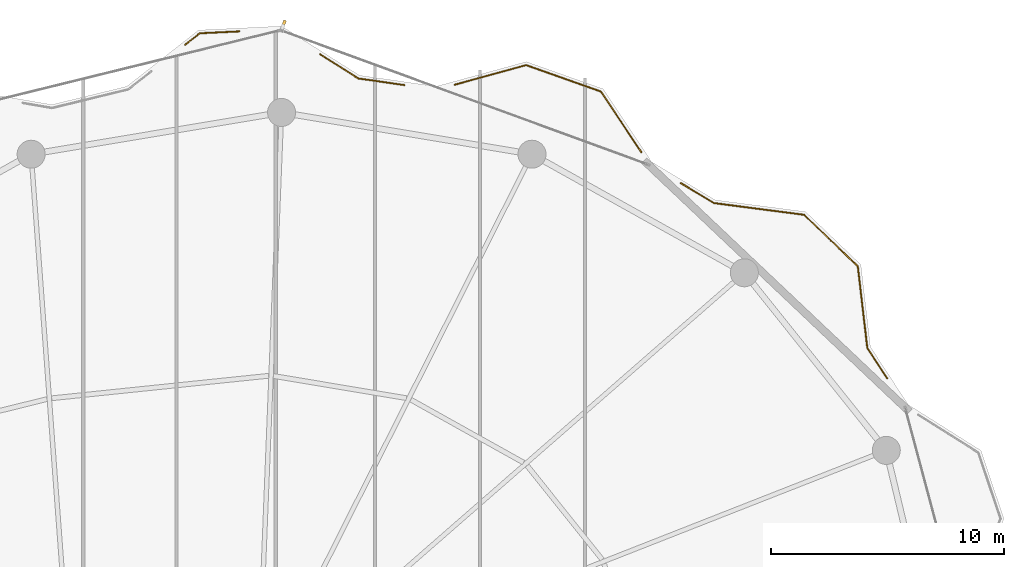
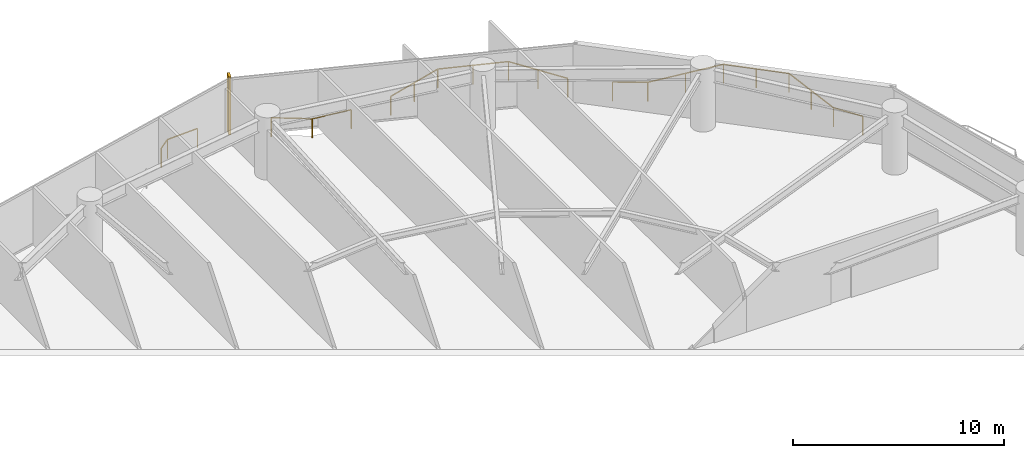
# One storey, part 28 of 28: 4 railings, 1 shading device.
"""IFC4 building model written with IfcOpenShell, lengths in metres."""

from ifc_helpers import new_model, si_unit, direction, frame, origin, origin_2d, place, context, subcontext, project, spatial, rectangle, extrude, material, type_object, element, save


model = new_model("IFC4")

# Units and contexts
model_context = context("Model", 3, precision=1e-05, world=origin(), true_north=direction((0.0, 1.0)))
body_context = subcontext(model_context, "Body", "Model", "MODEL_VIEW")
ifc_project = project(units=[si_unit("LENGTHUNIT", "METRE"), si_unit("AREAUNIT", "SQUARE_METRE"), si_unit("VOLUMEUNIT", "CUBIC_METRE"), si_unit("PLANEANGLEUNIT", "RADIAN"), si_unit("MASSUNIT", "GRAM", prefix="KILO")], contexts=[model_context])

# Site, building, storey
site_placement = place(None, origin())
site = spatial("IfcSite", under=ifc_project, at=site_placement, CompositionType="ELEMENT")
building_placement = place(site_placement, origin())
building = spatial("IfcBuilding", under=site, at=building_placement, Name="Kazevale Care Tower and Concert Hall", CompositionType="ELEMENT")
storey_placement = place(building_placement, frame((0.0, 0.0, 120.60009765625)))
storey = spatial("IfcBuildingStorey", under=building, at=storey_placement, Name="L31", CompositionType="ELEMENT", Elevation=120.60009765625)

# Railings
ifc_material_1 = material(Name="Anodised Bronze Aluminium and Laminated Glass", Category="aluminium")
railing_type = type_object("IfcRailingType", Name="Balcony and Terrace Balustrade 1120", PredefinedType="BALUSTRADE", material=ifc_material_1)
railing_1_placement = place(storey_placement, frame((40.875, 64.35400390625, 0.0)))
element("IfcRailing", 1, at=railing_1_placement, inside=storey, type_object=railing_type, Name="rail:L31:perim:6", PredefinedType="BALUSTRADE", context=body_context, shape_type="SweptSolid", body=[
    extrude(rectangle(XDim=0.048095703125, YDim=0.048095703125, at=origin_2d()), frame((0.0, 0.0, 1.09619140625), z_axis=(0.786296888073, 0.61784885191, 0.0), x_axis=(-0.61784885191, 0.786296888073, 0.0)), (0.0, 0.0, 1.0), 0.789794921875),
    extrude(rectangle(XDim=0.048095703125, YDim=0.048095703125, at=origin_2d()), frame((0.62109375, 0.488037109375, 1.09619140625), z_axis=(0.998846104171, 0.04802562007, 0.0), x_axis=(-0.04802562007, 0.998846104171, 0.0)), (0.0, 0.0, 1.0), 1.687744140625),
    extrude(rectangle(XDim=0.0419921875, YDim=0.0419921875, at=origin_2d()), origin(), (0.0, 0.0, 1.0), 1.072021484375),
    extrude(rectangle(XDim=0.0419921875, YDim=0.0419921875, at=origin_2d()), frame((0.62109375, 0.488037109375, 0.0)), (0.0, 0.0, 1.0), 1.072021484375),
    extrude(rectangle(XDim=0.0419921875, YDim=0.0419921875, at=origin_2d()), frame((2.306884765625, 0.569091796875, 0.0)), (0.0, 0.0, 1.0), 1.072021484375),
])
railing_2_placement = place(storey_placement, frame((46.64794921875, 63.943115234375, 0.0)))
element("IfcRailing", 2, at=railing_2_placement, inside=storey, type_object=railing_type, Name="rail:L31:perim:7", PredefinedType="BALUSTRADE", context=body_context, shape_type="SweptSolid", body=[
    extrude(rectangle(XDim=0.048095703125, YDim=0.048095703125, at=origin_2d()), frame((0.0, 0.0, 1.09619140625), z_axis=(0.845285408951, -0.534315054452, 0.0), x_axis=(0.534315054452, 0.845285408951, 0.0)), (0.0, 0.0, 1.0), 1.939208984375),
    extrude(rectangle(XDim=0.048095703125, YDim=0.048095703125, at=origin_2d()), frame((1.63916015625, -1.0361328125, 1.09619140625), z_axis=(0.989851165492, -0.142107952534, 0.0), x_axis=(0.142107952534, 0.989851165492, 0.0)), (0.0, 0.0, 1.0), 1.9912109375),
    extrude(rectangle(XDim=0.0419921875, YDim=0.0419921875, at=origin_2d()), origin(), (0.0, 0.0, 1.0), 1.072021484375),
    extrude(rectangle(XDim=0.0419921875, YDim=0.0419921875, at=origin_2d()), frame((1.63916015625, -1.0361328125, 0.0)), (0.0, 0.0, 1.0), 1.072021484375),
    extrude(rectangle(XDim=0.0419921875, YDim=0.0419921875, at=origin_2d()), frame((3.610107421875, -1.319091796875, 0.0)), (0.0, 0.0, 1.0), 1.072021484375),
])
railing_3_placement = place(storey_placement, frame((52.426025390625, 62.64111328125, 0.0)))
element("IfcRailing", 3, at=railing_3_placement, inside=storey, type_object=railing_type, Name="rail:L31:perim:8", PredefinedType="BALUSTRADE", context=body_context, shape_type="SweptSolid", body=[
    extrude(rectangle(XDim=0.048095703125, YDim=0.048095703125, at=origin_2d()), frame((0.0, 0.0, 1.09619140625), z_axis=(0.964305315259, 0.264792860484, 0.0), x_axis=(-0.264792860484, 0.964305315259, 0.0)), (0.0, 0.0, 1.0), 3.16796875),
    extrude(rectangle(XDim=0.048095703125, YDim=0.048095703125, at=origin_2d()), frame((3.054931640625, 0.8388671875, 1.09619140625), z_axis=(0.942606504608, -0.333905641567, 0.0), x_axis=(0.333905641567, 0.942606504608, 0.0)), (0.0, 0.0, 1.0), 3.399169921875),
    extrude(rectangle(XDim=0.048095703125, YDim=0.048095703125, at=origin_2d()), frame((6.259033203125, -0.296142578125, 1.09619140625), z_axis=(0.554087210484, -0.832458625505, 0.0), x_axis=(0.832458625505, 0.554087210484, 0.0)), (0.0, 0.0, 1.0), 3.125732421875),
    extrude(rectangle(XDim=0.0419921875, YDim=0.0419921875, at=origin_2d()), origin(), (0.0, 0.0, 1.0), 1.072021484375),
    extrude(rectangle(XDim=0.0419921875, YDim=0.0419921875, at=origin_2d()), frame((1.52734375, 0.41943359375, 0.0)), (0.0, 0.0, 1.0), 1.072021484375),
    extrude(rectangle(XDim=0.0419921875, YDim=0.0419921875, at=origin_2d()), frame((3.054931640625, 0.8388671875, 0.0)), (0.0, 0.0, 1.0), 1.072021484375),
    extrude(rectangle(XDim=0.0419921875, YDim=0.0419921875, at=origin_2d()), frame((4.656982421875, 0.271484375, 0.0)), (0.0, 0.0, 1.0), 1.072021484375),
    extrude(rectangle(XDim=0.0419921875, YDim=0.0419921875, at=origin_2d()), frame((6.259033203125, -0.296142578125, 0.0)), (0.0, 0.0, 1.0), 1.072021484375),
    extrude(rectangle(XDim=0.0419921875, YDim=0.0419921875, at=origin_2d()), frame((7.125, -1.59716796875, 0.0)), (0.0, 0.0, 1.0), 1.072021484375),
    extrude(rectangle(XDim=0.0419921875, YDim=0.0419921875, at=origin_2d()), frame((7.990966796875, -2.898193359375, 0.0)), (0.0, 0.0, 1.0), 1.072021484375),
])
railing_4_placement = place(storey_placement, frame((62.10400390625, 58.425048828125, 0.0)))
element("IfcRailing", 4, at=railing_4_placement, inside=storey, type_object=railing_type, Name="rail:L31:perim:9", PredefinedType="BALUSTRADE", context=body_context, shape_type="SweptSolid", body=[
    extrude(rectangle(XDim=0.048095703125, YDim=0.048095703125, at=origin_2d()), frame((0.0, 0.0, 1.09619140625), z_axis=(0.857286075964, -0.514840348029, 0.0), x_axis=(0.514840348029, 0.857286075964, 0.0)), (0.0, 0.0, 1.0), 1.666748046875),
    extrude(rectangle(XDim=0.048095703125, YDim=0.048095703125, at=origin_2d()), frame((1.428955078125, -0.858154296875, 1.09619140625), z_axis=(0.991624912909, -0.12915119859, 0.0), x_axis=(0.12915119859, 0.991624912909, 0.0)), (0.0, 0.0, 1.0), 3.886474609375),
    extrude(rectangle(XDim=0.048095703125, YDim=0.048095703125, at=origin_2d()), frame((5.282958984375, -1.360107421875, 1.09619140625), z_axis=(0.722483817146, -0.691387831801, 0.0), x_axis=(0.691387831801, 0.722483817146, 0.0)), (0.0, 0.0, 1.0), 3.1875),
    extrude(rectangle(XDim=0.048095703125, YDim=0.048095703125, at=origin_2d()), frame((7.5859375, -3.56396484375, 1.09619140625), z_axis=(0.115399198522, -0.993319195919, 0.0), x_axis=(0.993319195919, 0.115399198522, 0.0)), (0.0, 0.0, 1.0), 3.52685546875),
    extrude(rectangle(XDim=0.048095703125, YDim=0.048095703125, at=origin_2d()), frame((7.992919921875, -7.067138671875, 1.09619140625), z_axis=(0.547143637921, -0.837038732367, 0.0), x_axis=(0.837038732367, 0.547143637921, 0.0)), (0.0, 0.0, 1.0), 1.555419921875),
    extrude(rectangle(XDim=0.0419921875, YDim=0.0419921875, at=origin_2d()), origin(), (0.0, 0.0, 1.0), 1.072021484375),
    extrude(rectangle(XDim=0.0419921875, YDim=0.0419921875, at=origin_2d()), frame((1.428955078125, -0.858154296875, 0.0)), (0.0, 0.0, 1.0), 1.072021484375),
    extrude(rectangle(XDim=0.0419921875, YDim=0.0419921875, at=origin_2d()), frame((3.35595703125, -1.109130859375, 0.0)), (0.0, 0.0, 1.0), 1.072021484375),
    extrude(rectangle(XDim=0.0419921875, YDim=0.0419921875, at=origin_2d()), frame((5.282958984375, -1.360107421875, 0.0)), (0.0, 0.0, 1.0), 1.072021484375),
    extrude(rectangle(XDim=0.0419921875, YDim=0.0419921875, at=origin_2d()), frame((6.4345703125, -2.4619140625, 0.0)), (0.0, 0.0, 1.0), 1.072021484375),
    extrude(rectangle(XDim=0.0419921875, YDim=0.0419921875, at=origin_2d()), frame((7.5859375, -3.56396484375, 0.0)), (0.0, 0.0, 1.0), 1.072021484375),
    extrude(rectangle(XDim=0.0419921875, YDim=0.0419921875, at=origin_2d()), frame((7.78955078125, -5.3154296875, 0.0)), (0.0, 0.0, 1.0), 1.072021484375),
    extrude(rectangle(XDim=0.0419921875, YDim=0.0419921875, at=origin_2d()), frame((7.992919921875, -7.067138671875, 0.0)), (0.0, 0.0, 1.0), 1.072021484375),
    extrude(rectangle(XDim=0.0419921875, YDim=0.0419921875, at=origin_2d()), frame((8.843994140625, -8.369140625, 0.0)), (0.0, 0.0, 1.0), 1.072021484375),
])

# Shading device
ifc_material_2 = material(Name="Honed Ochre Limestone", Category="masonry")
shading_device_type = type_object("IfcShadingDeviceType", Name="Vertical Honed Limestone Fin FIN-01", PredefinedType="USERDEFINED", material=ifc_material_2)
shading_device_placement = place(storey_placement, frame((45.084228515625, 65.21240234375, 0.0), z_axis=(0.0, 0.0, 1.0), x_axis=(0.343167938899, 0.939274063153, 0.0)))
element("IfcShadingDevice", 5, at=shading_device_placement, inside=storey, type_object=shading_device_type, Name="cw:L31:f16:fin", ObjectType="FIN", PredefinedType="USERDEFINED", context=body_context, shape_type="SweptSolid", body=[
    extrude(rectangle(XDim=0.3798828125, YDim=0.1201171875, at=origin_2d()), origin(), (0.0, 0.0, 1.0), 3.360107421875),
])

save(model, "model.ifc")
